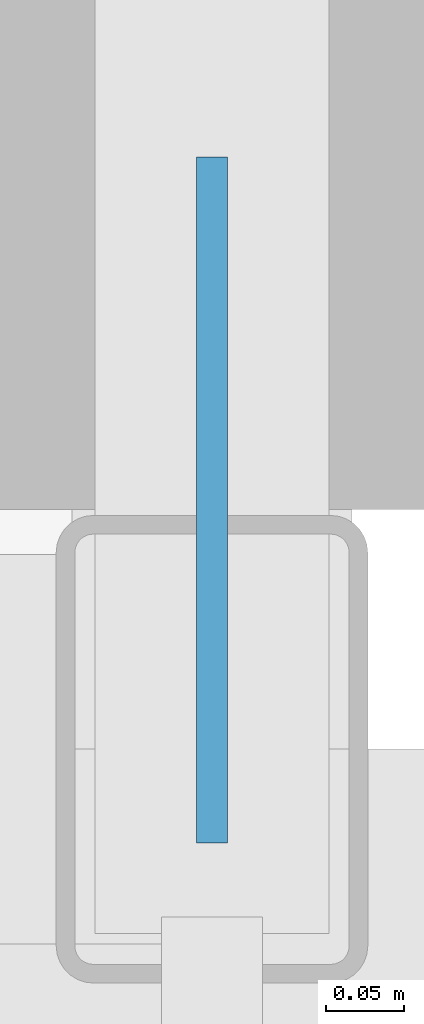
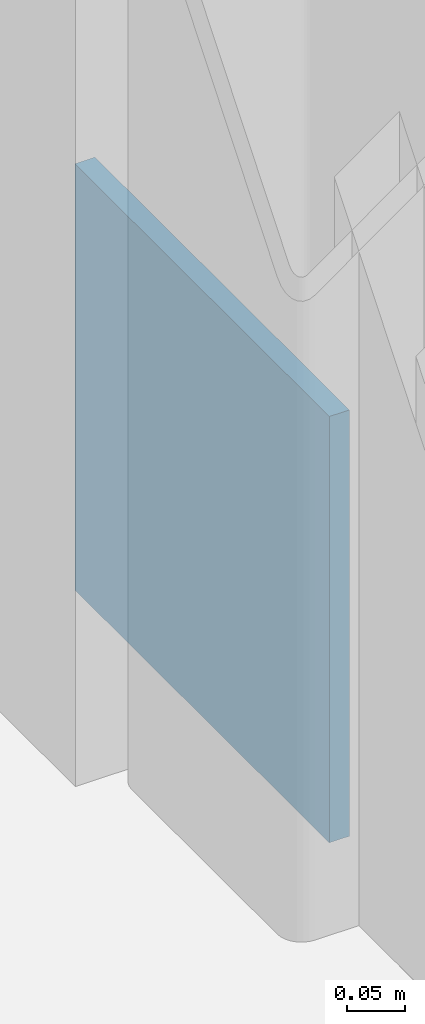
# One storey, part 54 of 63: 1 discrete accessory.
"""IFC4 building model written with IfcOpenShell, lengths in metres."""

from ifc_helpers import new_model, si_unit, direction, frame, origin, origin_2d, place, context, subcontext, project, spatial, rectangle, extrude, material, layer, layer_set, type_object, element, save


model = new_model("IFC4")

# Units and contexts
model_context = context("Model", 3, precision=1e-05, world=origin(), true_north=direction((0.0, 1.0)))
body_context = subcontext(model_context, "Body", "Model", "MODEL_VIEW")
ifc_project = project(units=[si_unit("LENGTHUNIT", "METRE"), si_unit("AREAUNIT", "SQUARE_METRE"), si_unit("VOLUMEUNIT", "CUBIC_METRE"), si_unit("PLANEANGLEUNIT", "RADIAN"), si_unit("MASSUNIT", "GRAM", prefix="KILO")], contexts=[model_context])

# Site, building, storey
site_placement = place(None, origin())
site = spatial("IfcSite", under=ifc_project, at=site_placement, CompositionType="ELEMENT")
building_placement = place(site_placement, origin())
building = spatial("IfcBuilding", under=site, at=building_placement, Name="Varnakota Square Police Headquarters", CompositionType="ELEMENT")
storey_placement = place(building_placement, frame((0.0, 0.0, 22.199951171875)))
storey = spatial("IfcBuildingStorey", under=building, at=storey_placement, Name="L05", CompositionType="ELEMENT", Elevation=22.199951171875)

# Discrete accessory
ifc_material = material(Name="Steel IS 2062 Grade 350", Category="steel")
ifc_layer = layer(ifc_material, 0.64990234375, Name="Steel IS 2062 Grade 350")
ifc_layer_set = layer_set([ifc_layer], Name="Steel IS 2062 Grade 350")
discrete_accessory_type = type_object("IfcDiscreteAccessoryType", Name="ACC-EMB-350", PredefinedType="BRACKET", material=ifc_layer_set)
discrete_accessory_placement = place(storey_placement, frame((42.0, 27.159912109375, 0.02490234375), z_axis=(0.0, 0.0, 1.0), x_axis=(0.0, 1.0, 0.0)))
element("IfcDiscreteAccessory", 1, at=discrete_accessory_placement, inside=storey, type_object=discrete_accessory_type, Name="Brace gusset connection plate BF3 L05 L", PredefinedType="BRACKET", context=body_context, shape_type="SweptSolid", body=[
    extrude(rectangle(XDim=0.43994140625, YDim=0.02001953125, at=origin_2d()), origin(), (0.0, 0.0, 1.0), 0.449951171875),
])

save(model, "model.ifc")
